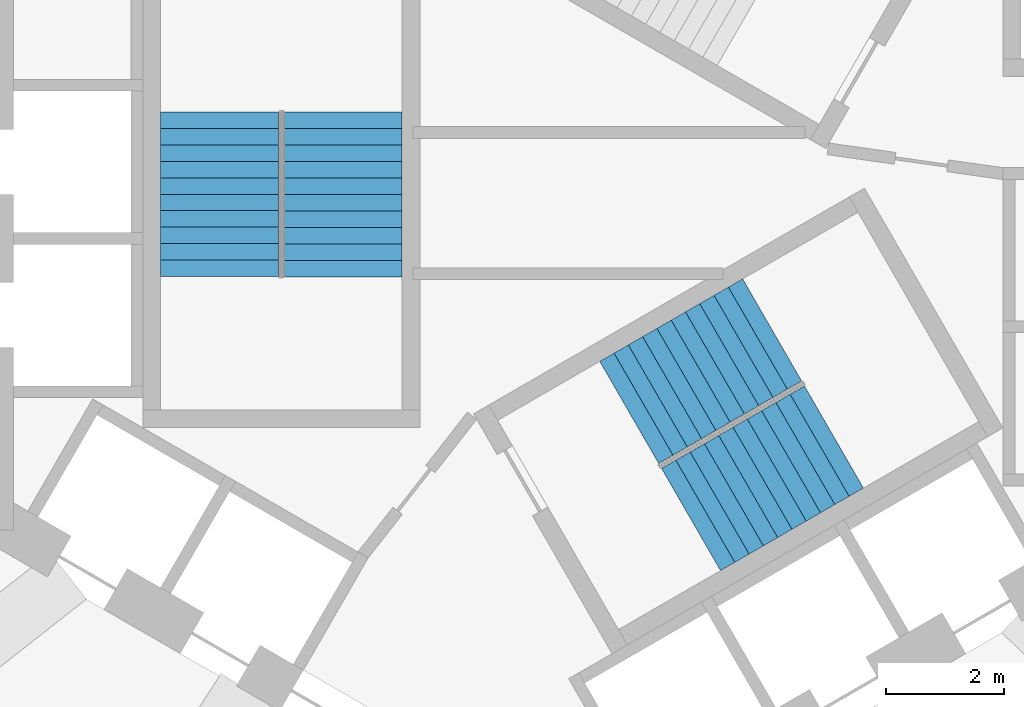
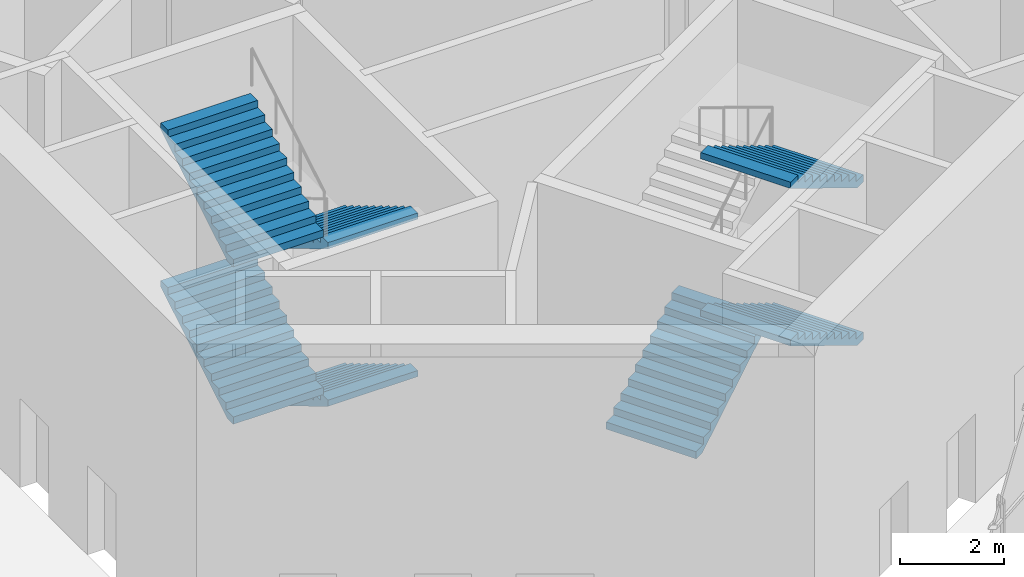
# One storey, part 12 of 17: 7 stair flights, 2 elements without a shape of their own.
"""IFC4 building model written with IfcOpenShell, lengths in metres."""

import ifcopenshell
import ifcopenshell.guid

model = None  # the IFC model being written
_history = None  # IfcOwnerHistory: only IFC2X3 demands one
_inside = {}  # id of a spatial element -> (the spatial element, [elements in it])
_under = {}  # id of a project, library or spatial element -> (it, [spatial elements below it])
_declared = {}  # id of a project -> (the project, [libraries it declares])
_typed = {}  # id of a type object -> (the type object, [elements of that type])
_made_of = {}  # id of a material, layer set ... -> (it, [elements and type objects made of it])


def new_model(schema):
    """Start an empty IFC model of exactly this schema.

    Asked for "IFC4X3", IfcOpenShell would pick the latest addendum, in which some entities
    have other attributes; the version numbers below select the first issue.
    IFC2X3 requires an IfcOwnerHistory on every rooted entity: one is made here for all.
    """
    global model, _history
    if schema == "IFC4X3":
        model = ifcopenshell.file(schema_version=(4, 3, 0, 0))
    else:
        model = ifcopenshell.file(schema=schema)
    _inside.clear()
    _under.clear()
    _declared.clear()
    _typed.clear()
    _made_of.clear()
    _history = None
    if model.schema == "IFC2X3":
        org = make("IfcOrganization", Name="unknown")
        user = make(
            "IfcPersonAndOrganization",
            ThePerson=make("IfcPerson", FamilyName="unknown"),
            TheOrganization=org,
        )
        app = make(
            "IfcApplication",
            ApplicationDeveloper=org,
            Version="unknown",
            ApplicationFullName="unknown",
            ApplicationIdentifier="unknown",
        )
        _history = make(
            "IfcOwnerHistory",
            OwningUser=user,
            OwningApplication=app,
            ChangeAction="ADDED",
            CreationDate=0,
        )
    return model


def make(cls, **values):
    """One entity of the class cls with the attributes given. An attribute that is None is left unset."""
    return model.create_entity(
        cls, **{name: value for name, value in values.items() if value is not None}
    )


def rooted(cls, **values):
    """An entity with a GlobalId (a new one), such as an element, a storey or a relation."""
    return make(cls, GlobalId=ifcopenshell.guid.new(), OwnerHistory=_history, **values)


def si_unit(unit_type, name, prefix=None):
    """IfcSIUnit, for example si_unit("LENGTHUNIT", "METRE", prefix="MILLI")."""
    return make("IfcSIUnit", UnitType=unit_type, Prefix=prefix, Name=name)


def assignment(units):
    """IfcUnitAssignment: the units of a project."""
    return None if units is None else make("IfcUnitAssignment", Units=units)


def point(xyz):
    """IfcCartesianPoint."""
    return None if xyz is None else make("IfcCartesianPoint", Coordinates=xyz)


def direction(xyz):
    """IfcDirection."""
    return None if xyz is None else make("IfcDirection", DirectionRatios=xyz)


def frame(location, z_axis=None, x_axis=None):
    """IfcAxis2Placement3D, a coordinate frame: its origin and axes. An axis left out is left unset."""
    return make(
        "IfcAxis2Placement3D",
        Location=point(location),
        Axis=direction(z_axis),
        RefDirection=direction(x_axis),
    )


def origin():
    """The frame at (0, 0, 0) with its axes left unset."""
    return frame((0.0, 0.0, 0.0))


def place(relative_to, where):
    """IfcLocalPlacement: puts the frame where relative to a parent placement (None: the world)."""
    return make(
        "IfcLocalPlacement", PlacementRelTo=relative_to, RelativePlacement=where
    )


def context(
    kind, dimensions, precision=None, world=None, true_north=None, identifier=None
):
    """IfcGeometricRepresentationContext, for example the 3D "Model" context."""
    return make(
        "IfcGeometricRepresentationContext",
        ContextIdentifier=identifier,
        ContextType=kind,
        CoordinateSpaceDimension=dimensions,
        Precision=precision,
        WorldCoordinateSystem=world,
        TrueNorth=true_north,
    )


def subcontext(parent, identifier, kind, view, scale=None):
    """IfcGeometricRepresentationSubContext, for example "Body" below "Model"."""
    return make(
        "IfcGeometricRepresentationSubContext",
        ContextIdentifier=identifier,
        ContextType=kind,
        ParentContext=parent,
        TargetScale=scale,
        TargetView=view,
    )


def project(units=None, contexts=None):
    """IfcProject with its units and contexts."""
    return rooted(
        "IfcProject",
        Name="project",
        RepresentationContexts=contexts,
        UnitsInContext=assignment(units),
    )


def spatial(cls, under=None, at=None, **own):
    """A site, building, storey or space (cls), placed at a placement, below another one or the project."""
    s = rooted(cls, ObjectPlacement=at, **own)
    if under is not None:
        _under.setdefault(under.id(), (under, []))[1].append(s)
    return s


def point_list(points):
    """IfcCartesianPointList2D or 3D."""
    cls = (
        "IfcCartesianPointList2D" if len(points[0]) == 2 else "IfcCartesianPointList3D"
    )
    return make(cls, CoordList=points)


def triangles(points, corners, closed=None, point_numbers=None):
    """IfcTriangulatedFaceSet: each triangle names its three corners, points numbered from 1."""
    return make(
        "IfcTriangulatedFaceSet",
        Coordinates=point_list(points),
        Closed=closed,
        CoordIndex=corners,
        PnIndex=point_numbers,
    )


def shape(context_of_items, identifier, shape_type, items):
    """IfcShapeRepresentation: the items that make up one representation, for example the "Body"."""
    return make(
        "IfcShapeRepresentation",
        ContextOfItems=context_of_items,
        RepresentationIdentifier=identifier,
        RepresentationType=shape_type,
        Items=items,
    )


def source(mapping_origin, context_of_items, identifier, shape_type, items):
    """IfcRepresentationMap: a shape defined once, which mapped items show again and again."""
    return make(
        "IfcRepresentationMap",
        MappingOrigin=mapping_origin,
        MappedRepresentation=shape(context_of_items, identifier, shape_type, items),
    )


def transform(
    local_origin,
    x_axis=None,
    y_axis=None,
    z_axis=None,
    scale=None,
    scale2=None,
    scale3=None,
    uniform=True,
):
    """IfcCartesianTransformationOperator3D, or its non-uniform kind. x_axis, y_axis, z_axis: its Axis1, 2, 3."""
    if uniform:
        return make(
            "IfcCartesianTransformationOperator3D",
            Axis1=direction(x_axis),
            Axis2=direction(y_axis),
            LocalOrigin=point(local_origin),
            Scale=scale,
            Axis3=direction(z_axis),
        )
    return make(
        "IfcCartesianTransformationOperator3DnonUniform",
        Axis1=direction(x_axis),
        Axis2=direction(y_axis),
        LocalOrigin=point(local_origin),
        Scale=scale,
        Axis3=direction(z_axis),
        Scale2=scale2,
        Scale3=scale3,
    )


def mapped(mapping_source, mapping_target):
    """IfcMappedItem: shows the shape of a source again, moved by a transform."""
    return make(
        "IfcMappedItem", MappingSource=mapping_source, MappingTarget=mapping_target
    )


def material(Name=None, Category=None):
    """IfcMaterial."""
    return make("IfcMaterial", Name=Name, Category=Category)


def made_of(thing, what):
    """Note that an element or type object is made of a material, layer set ...; save() writes the relation."""
    if what is not None:
        _made_of.setdefault(what.id(), (what, []))[1].append(thing)
    return thing


def type_object(cls, material=None, **own):
    """A type object (cls), such as IfcWallType, which elements share."""
    return made_of(rooted(cls, **own), material)


def element(
    cls,
    number,
    at=None,
    inside=None,
    cuts=None,
    type_object=None,
    material=None,
    context=None,
    identifier="Body",
    shape_type=None,
    held_by="IfcProductDefinitionShape",
    body=None,
    shapes=None,
    **own,
):
    """One element of the class cls, such as IfcWall. Its Tag is "e" and its number.

    at: its placement. inside: the storey or other place that contains it. cuts: it is an
    opening in that element (IfcRelVoidsElement). A single representation is given by context,
    identifier, shape_type and body (its items); several are given by shapes. held_by: the class
    of the entity that holds the representations. save() writes the other relations.
    """
    e = rooted(cls, Tag="e%d" % number, ObjectPlacement=at, **own)
    if body is not None:
        shapes = [shape(context, identifier, shape_type, body)]
    if shapes is not None:
        e.Representation = make(held_by, Representations=shapes)
    if inside is not None:
        _inside.setdefault(inside.id(), (inside, []))[1].append(e)
    if cuts is not None:
        rooted(
            "IfcRelVoidsElement", RelatingBuildingElement=cuts, RelatedOpeningElement=e
        )
    if type_object is not None:
        _typed.setdefault(type_object.id(), (type_object, []))[1].append(e)
    return made_of(e, material)


def aggregate(whole, parts):
    """IfcRelAggregates: a whole, such as a stair, and the parts it consists of."""
    return rooted("IfcRelAggregates", RelatingObject=whole, RelatedObjects=parts)


def save(model, path):
    """Write the relations noted so far, then the file.

    IfcRelAggregates (storeys below a building ...), IfcRelContainedInSpatialStructure (elements
    in a storey), IfcRelDefinesByType, IfcRelAssociatesMaterial and IfcRelDeclares: one each for
    every whole, place, type object, material and project.
    """
    for whole, parts in _under.values():
        aggregate(whole, parts)
    for where, things in _inside.values():
        rooted(
            "IfcRelContainedInSpatialStructure",
            RelatedElements=things,
            RelatingStructure=where,
        )
    for kind, things in _typed.values():
        rooted("IfcRelDefinesByType", RelatedObjects=things, RelatingType=kind)
    for what, things in _made_of.values():
        rooted("IfcRelAssociatesMaterial", RelatedObjects=things, RelatingMaterial=what)
    for by, libraries in _declared.values():
        rooted("IfcRelDeclares", RelatingContext=by, RelatedDefinitions=libraries)
    model.write(path)


model = new_model("IFC4")

# Units and contexts
model_context = context("Model", 3, precision=1e-05, world=origin(), true_north=direction((0.0, 1.0)))
body_context = subcontext(model_context, "Body", "Model", "MODEL_VIEW")
ifc_project = project(units=[si_unit("LENGTHUNIT", "METRE"), si_unit("AREAUNIT", "SQUARE_METRE"), si_unit("VOLUMEUNIT", "CUBIC_METRE"), si_unit("PLANEANGLEUNIT", "RADIAN"), si_unit("MASSUNIT", "GRAM", prefix="KILO")], contexts=[model_context])

# Site, building, storey
site_placement = place(None, origin())
site = spatial("IfcSite", under=ifc_project, at=site_placement, CompositionType="ELEMENT")
building_placement = place(site_placement, origin())
building = spatial("IfcBuilding", under=site, at=building_placement, Name="Vanh Sen Convention Tower", CompositionType="ELEMENT")
storey_placement = place(building_placement, frame((0.0, 0.0, 214.300048828125)))
storey = spatial("IfcBuildingStorey", under=building, at=storey_placement, Name="L53", CompositionType="ELEMENT", Elevation=214.300048828125)

# Stair, stair flights
ifc_material_1 = material(Name="Concrete C50/60", Category="concrete")
stair_type_1 = type_object("IfcStairType", Name="Exit stair ST2 44 risers at 168.2", PredefinedType="HALF_TURN_STAIR", material=ifc_material_1)
stair_1_placement = place(storey_placement, origin())
stair_1 = element("IfcStair", 1, at=stair_1_placement, inside=storey, type_object=stair_type_1, Name="Exit stair ST2 L53", PredefinedType="HALF_TURN_STAIR")
ifc_material_2 = material(Name="Concrete C40/50", Category="concrete")
stair_flight_type = type_object("IfcStairFlightType", Name="Stair flight 2000", PredefinedType="STRAIGHT", material=ifc_material_2)
shared_shape = source(origin(), body_context, "Body", "Tessellation", [
    triangles([(0.24267578125, 1.0, 0.0), (0.0, 1.0, 0.0), (0.0, 1.0, 0.168212890625), (0.280029296875, 1.0, 0.168212890625), (0.280029296875, 1.0, 0.33642578125), (0.56005859375, 1.0, 0.33642578125), (0.56005859375, 1.0, 0.504638671875), (0.840087890625, 1.0, 0.504638671875), (0.840087890625, 1.0, 0.672607421875), (1.1201171875, 1.0, 0.672607421875), (1.1201171875, 1.0, 0.8408203125), (1.39990234375, 1.0, 0.8408203125), (1.39990234375, 1.0, 1.009033203125), (1.679931640625, 1.0, 1.009033203125), (1.679931640625, 1.0, 1.17724609375), (1.9599609375, 1.0, 1.17724609375), (1.9599609375, 1.0, 1.345458984375), (2.239990234375, 1.0, 1.345458984375), (2.239990234375, 1.0, 1.513671875), (2.52001953125, 1.0, 1.513671875), (2.52001953125, 1.0, 1.681884765625), (2.800048828125, 1.0, 1.681884765625), (2.800048828125, 1.0, 1.535888671875), (0.24267578125, -1.0, 0.0), (0.0, -1.0, 0.0), (0.0, -1.0, 0.168212890625), (0.280029296875, -1.0, 0.168212890625), (0.280029296875, -1.0, 0.33642578125), (0.56005859375, -1.0, 0.33642578125), (0.56005859375, -1.0, 0.504638671875), (0.840087890625, -1.0, 0.504638671875), (0.840087890625, -1.0, 0.672607421875), (1.1201171875, -1.0, 0.672607421875), (1.1201171875, -1.0, 0.8408203125), (1.39990234375, -1.0, 0.8408203125), (1.39990234375, -1.0, 1.009033203125), (1.679931640625, -1.0, 1.009033203125), (1.679931640625, -1.0, 1.17724609375), (1.9599609375, -1.0, 1.17724609375), (1.9599609375, -1.0, 1.345458984375), (2.239990234375, -1.0, 1.345458984375), (2.239990234375, -1.0, 1.513671875), (2.52001953125, -1.0, 1.513671875), (2.52001953125, -1.0, 1.681884765625), (2.800048828125, -1.0, 1.681884765625), (2.800048828125, -1.0, 1.535888671875), (0.0, 0.0400390625, 0.0), (0.0, 0.0390625, 0.0), (0.0, 0.0380859375, 0.0), (0.0, 0.037109375, 0.0), (0.0, 0.035888671875, 0.0), (0.0, 0.034912109375, 0.0), (0.0, 0.033935546875, 0.0), (0.0, 0.032958984375, 0.0), (0.0, 0.031982421875, 0.0), (0.0, 0.031005859375, 0.0), (0.0, 0.030029296875, 0.0), (0.0, 0.029052734375, 0.0), (0.0, 0.028076171875, 0.0), (0.0, 0.027099609375, 0.0), (0.0, 0.02587890625, 0.0), (0.0, 0.02490234375, 0.0), (0.0, 0.02392578125, 0.0), (0.0, 0.02294921875, 0.0), (0.0, 0.02197265625, 0.0), (0.0, 0.02099609375, 0.0), (0.0, 0.02001953125, 0.0), (0.0, 0.01904296875, 0.0), (0.0, 0.01806640625, 0.0), (0.0, 0.01708984375, 0.0), (0.0, 0.01611328125, 0.0), (0.0, 0.014892578125, 0.0), (0.0, 0.013916015625, 0.0), (0.0, 0.012939453125, 0.0), (0.0, 0.011962890625, 0.0), (0.0, 0.010986328125, 0.0), (0.0, 0.010009765625, 0.0), (0.0, 0.009033203125, 0.0), (0.0, 0.008056640625, 0.0), (0.0, 0.007080078125, 0.0), (0.0, 0.006103515625, 0.0), (0.0, 0.0048828125, 0.0), (0.0, 0.00390625, 0.0), (0.0, 0.0029296875, 0.0), (0.0, 0.001953125, 0.0), (0.0, 0.0009765625, 0.0), (0.0, 0.0, 0.0), (0.0, -0.0009765625, 0.0), (0.0, -0.001953125, 0.0), (0.0, -0.0029296875, 0.0), (0.0, -0.00390625, 0.0), (0.0, -0.0048828125, 0.0), (0.0, -0.006103515625, 0.0), (0.0, -0.007080078125, 0.0), (0.0, -0.008056640625, 0.0), (0.0, -0.009033203125, 0.0), (0.0, -0.010009765625, 0.0), (0.0, -0.010986328125, 0.0), (0.0, -0.011962890625, 0.0), (0.0, -0.012939453125, 0.0), (0.0, -0.013916015625, 0.0), (0.0, -0.014892578125, 0.0), (0.0, -0.01611328125, 0.0), (0.0, -0.01708984375, 0.0), (0.0, -0.01806640625, 0.0), (0.0, -0.01904296875, 0.0), (0.0, -0.02001953125, 0.0), (0.0, -0.02099609375, 0.0), (0.0, -0.02197265625, 0.0), (0.0, -0.02294921875, 0.0), (0.0, -0.02392578125, 0.0), (0.0, -0.02490234375, 0.0), (0.0, -0.02587890625, 0.0), (0.0, -0.027099609375, 0.0), (0.0, -0.028076171875, 0.0), (0.0, -0.029052734375, 0.0), (0.0, -0.030029296875, 0.0), (0.0, -0.031005859375, 0.0), (0.0, -0.031982421875, 0.0), (0.0, -0.032958984375, 0.0), (0.0, -0.033935546875, 0.0), (0.0, -0.034912109375, 0.0), (0.0, -0.035888671875, 0.0), (0.0, -0.037109375, 0.0), (0.0, -0.0380859375, 0.0), (0.0, -0.0390625, 0.0), (0.0, -0.0400390625, 0.0), (0.0, 0.0400390625, 0.168212890625), (0.0, 0.0390625, 0.168212890625), (0.0, 0.0380859375, 0.168212890625), (0.0, 0.037109375, 0.168212890625), (0.0, 0.035888671875, 0.168212890625), (0.0, 0.034912109375, 0.168212890625), (0.0, 0.033935546875, 0.168212890625), (0.0, 0.032958984375, 0.168212890625), (0.0, 0.031982421875, 0.168212890625), (0.0, 0.031005859375, 0.168212890625), (0.0, 0.030029296875, 0.168212890625), (0.0, 0.029052734375, 0.168212890625), (0.0, 0.028076171875, 0.168212890625), (0.0, 0.027099609375, 0.168212890625), (0.0, 0.02587890625, 0.168212890625), (0.0, 0.02490234375, 0.168212890625), (0.0, 0.02392578125, 0.168212890625), (0.0, 0.02294921875, 0.168212890625), (0.0, 0.02197265625, 0.168212890625), (0.0, 0.02099609375, 0.168212890625), (0.0, 0.02001953125, 0.168212890625), (0.0, 0.01904296875, 0.168212890625), (0.0, 0.01806640625, 0.168212890625), (0.0, 0.01708984375, 0.168212890625), (0.0, 0.01611328125, 0.168212890625), (0.0, 0.014892578125, 0.168212890625), (0.0, 0.013916015625, 0.168212890625), (0.0, 0.012939453125, 0.168212890625), (0.0, 0.011962890625, 0.168212890625), (0.0, 0.010986328125, 0.168212890625), (0.0, 0.010009765625, 0.168212890625), (0.0, 0.009033203125, 0.168212890625), (0.0, 0.008056640625, 0.168212890625), (0.0, 0.007080078125, 0.168212890625), (0.0, 0.006103515625, 0.168212890625), (0.0, 0.0048828125, 0.168212890625), (0.0, 0.00390625, 0.168212890625), (0.0, 0.0029296875, 0.168212890625), (0.0, 0.001953125, 0.168212890625), (0.0, 0.0009765625, 0.168212890625), (0.0, 0.0, 0.168212890625), (0.0, -0.0009765625, 0.168212890625), (0.0, -0.001953125, 0.168212890625), (0.0, -0.0029296875, 0.168212890625), (0.0, -0.00390625, 0.168212890625), (0.0, -0.0048828125, 0.168212890625), (0.0, -0.006103515625, 0.168212890625), (0.0, -0.007080078125, 0.168212890625), (0.0, -0.008056640625, 0.168212890625), (0.0, -0.009033203125, 0.168212890625), (0.0, -0.010009765625, 0.168212890625), (0.0, -0.010986328125, 0.168212890625), (0.0, -0.011962890625, 0.168212890625), (0.0, -0.012939453125, 0.168212890625), (0.0, -0.013916015625, 0.168212890625), (0.0, -0.014892578125, 0.168212890625), (0.0, -0.01611328125, 0.168212890625), (0.0, -0.01708984375, 0.168212890625), (0.0, -0.01806640625, 0.168212890625), (0.0, -0.01904296875, 0.168212890625), (0.0, -0.02001953125, 0.168212890625), (0.0, -0.02099609375, 0.168212890625), (0.0, -0.02197265625, 0.168212890625), (0.0, -0.02294921875, 0.168212890625), (0.0, -0.02392578125, 0.168212890625), (0.0, -0.02490234375, 0.168212890625), (0.0, -0.02587890625, 0.168212890625), (0.0, -0.027099609375, 0.168212890625), (0.0, -0.028076171875, 0.168212890625), (0.0, -0.029052734375, 0.168212890625), (0.0, -0.030029296875, 0.168212890625), (0.0, -0.031005859375, 0.168212890625), (0.0, -0.031982421875, 0.168212890625), (0.0, -0.032958984375, 0.168212890625), (0.0, -0.033935546875, 0.168212890625), (0.0, -0.034912109375, 0.168212890625), (0.0, -0.035888671875, 0.168212890625), (0.0, -0.037109375, 0.168212890625), (0.0, -0.0380859375, 0.168212890625), (0.0, -0.0390625, 0.168212890625), (0.0, -0.0400390625, 0.168212890625), (0.280029296875, 0.0, 0.168212890625), (0.280029296875, 0.0, 0.33642578125), (0.56005859375, 0.0, 0.33642578125), (0.56005859375, 0.0, 0.504638671875), (0.840087890625, 0.0, 0.504638671875), (0.840087890625, 0.0, 0.672607421875), (1.1201171875, 0.0, 0.672607421875), (1.1201171875, 0.0, 0.8408203125), (1.39990234375, 0.0, 0.8408203125), (1.39990234375, 0.0, 1.009033203125), (1.679931640625, 0.0, 1.009033203125), (1.679931640625, 0.0, 1.17724609375), (1.9599609375, 0.0, 1.17724609375), (1.9599609375, 0.0, 1.345458984375), (2.239990234375, 0.0, 1.345458984375), (2.239990234375, 0.0, 1.513671875), (2.52001953125, 0.0, 1.513671875), (2.52001953125, 0.0, 1.681884765625), (2.800048828125, 0.0400390625, 1.681884765625), (2.800048828125, 0.0390625, 1.681884765625), (2.800048828125, 0.0380859375, 1.681884765625), (2.800048828125, 0.037109375, 1.681884765625), (2.800048828125, 0.035888671875, 1.681884765625), (2.800048828125, 0.034912109375, 1.681884765625), (2.800048828125, 0.033935546875, 1.681884765625), (2.800048828125, 0.032958984375, 1.681884765625), (2.800048828125, 0.031982421875, 1.681884765625), (2.800048828125, 0.031005859375, 1.681884765625), (2.800048828125, 0.030029296875, 1.681884765625), (2.800048828125, 0.029052734375, 1.681884765625), (2.800048828125, 0.028076171875, 1.681884765625), (2.800048828125, 0.027099609375, 1.681884765625), (2.800048828125, 0.02587890625, 1.681884765625), (2.800048828125, 0.02490234375, 1.681884765625), (2.800048828125, 0.02392578125, 1.681884765625), (2.800048828125, 0.02294921875, 1.681884765625), (2.800048828125, 0.02197265625, 1.681884765625), (2.800048828125, 0.02099609375, 1.681884765625), (2.800048828125, 0.02001953125, 1.681884765625), (2.800048828125, 0.01904296875, 1.681884765625), (2.800048828125, 0.01806640625, 1.681884765625), (2.800048828125, 0.01708984375, 1.681884765625), (2.800048828125, 0.01611328125, 1.681884765625), (2.800048828125, 0.014892578125, 1.681884765625), (2.800048828125, 0.013916015625, 1.681884765625), (2.800048828125, 0.012939453125, 1.681884765625), (2.800048828125, 0.011962890625, 1.681884765625), (2.800048828125, 0.010986328125, 1.681884765625), (2.800048828125, 0.010009765625, 1.681884765625), (2.800048828125, 0.009033203125, 1.681884765625), (2.800048828125, 0.008056640625, 1.681884765625), (2.800048828125, 0.007080078125, 1.681884765625), (2.800048828125, 0.006103515625, 1.681884765625), (2.800048828125, 0.0048828125, 1.681884765625), (2.800048828125, 0.00390625, 1.681884765625), (2.800048828125, 0.0029296875, 1.681884765625), (2.800048828125, 0.001953125, 1.681884765625), (2.800048828125, 0.0009765625, 1.681884765625), (2.800048828125, 0.0, 1.681884765625), (2.800048828125, -0.0009765625, 1.681884765625), (2.800048828125, -0.001953125, 1.681884765625), (2.800048828125, -0.0029296875, 1.681884765625), (2.800048828125, -0.00390625, 1.681884765625), (2.800048828125, -0.0048828125, 1.681884765625), (2.800048828125, -0.006103515625, 1.681884765625), (2.800048828125, -0.007080078125, 1.681884765625), (2.800048828125, -0.008056640625, 1.681884765625), (2.800048828125, -0.009033203125, 1.681884765625), (2.800048828125, -0.010009765625, 1.681884765625), (2.800048828125, -0.010986328125, 1.681884765625), (2.800048828125, -0.011962890625, 1.681884765625), (2.800048828125, -0.012939453125, 1.681884765625), (2.800048828125, -0.013916015625, 1.681884765625), (2.800048828125, -0.014892578125, 1.681884765625), (2.800048828125, -0.01611328125, 1.681884765625), (2.800048828125, -0.01708984375, 1.681884765625), (2.800048828125, -0.01806640625, 1.681884765625), (2.800048828125, -0.01904296875, 1.681884765625), (2.800048828125, -0.02001953125, 1.681884765625), (2.800048828125, -0.02099609375, 1.681884765625), (2.800048828125, -0.02197265625, 1.681884765625), (2.800048828125, -0.02294921875, 1.681884765625), (2.800048828125, -0.02392578125, 1.681884765625), (2.800048828125, -0.02490234375, 1.681884765625), (2.800048828125, -0.02587890625, 1.681884765625), (2.800048828125, -0.027099609375, 1.681884765625), (2.800048828125, -0.028076171875, 1.681884765625), (2.800048828125, -0.029052734375, 1.681884765625), (2.800048828125, -0.030029296875, 1.681884765625), (2.800048828125, -0.031005859375, 1.681884765625), (2.800048828125, -0.031982421875, 1.681884765625), (2.800048828125, -0.032958984375, 1.681884765625), (2.800048828125, -0.033935546875, 1.681884765625), (2.800048828125, -0.034912109375, 1.681884765625), (2.800048828125, -0.035888671875, 1.681884765625), (2.800048828125, -0.037109375, 1.681884765625), (2.800048828125, -0.0380859375, 1.681884765625), (2.800048828125, -0.0390625, 1.681884765625), (2.800048828125, -0.0400390625, 1.681884765625), (2.800048828125, 0.0400390625, 1.535888671875), (2.800048828125, 0.0390625, 1.535888671875), (2.800048828125, 0.0380859375, 1.535888671875), (2.800048828125, 0.037109375, 1.535888671875), (2.800048828125, 0.035888671875, 1.535888671875), (2.800048828125, 0.034912109375, 1.535888671875), (2.800048828125, 0.033935546875, 1.535888671875), (2.800048828125, 0.032958984375, 1.535888671875), (2.800048828125, 0.031982421875, 1.535888671875), (2.800048828125, 0.031005859375, 1.535888671875), (2.800048828125, 0.030029296875, 1.535888671875), (2.800048828125, 0.029052734375, 1.535888671875), (2.800048828125, 0.028076171875, 1.535888671875), (2.800048828125, 0.027099609375, 1.535888671875), (2.800048828125, 0.02587890625, 1.535888671875), (2.800048828125, 0.02490234375, 1.535888671875), (2.800048828125, 0.02392578125, 1.535888671875), (2.800048828125, 0.02294921875, 1.535888671875), (2.800048828125, 0.02197265625, 1.535888671875), (2.800048828125, 0.02099609375, 1.535888671875), (2.800048828125, 0.02001953125, 1.535888671875), (2.800048828125, 0.01904296875, 1.535888671875), (2.800048828125, 0.01806640625, 1.535888671875), (2.800048828125, 0.01708984375, 1.535888671875), (2.800048828125, 0.01611328125, 1.535888671875), (2.800048828125, 0.014892578125, 1.535888671875), (2.800048828125, 0.013916015625, 1.535888671875), (2.800048828125, 0.012939453125, 1.535888671875), (2.800048828125, 0.011962890625, 1.535888671875), (2.800048828125, 0.010986328125, 1.535888671875), (2.800048828125, 0.010009765625, 1.535888671875), (2.800048828125, 0.009033203125, 1.535888671875), (2.800048828125, 0.008056640625, 1.535888671875), (2.800048828125, 0.007080078125, 1.535888671875), (2.800048828125, 0.006103515625, 1.535888671875), (2.800048828125, 0.0048828125, 1.535888671875), (2.800048828125, 0.00390625, 1.535888671875), (2.800048828125, 0.0029296875, 1.535888671875), (2.800048828125, 0.001953125, 1.535888671875), (2.800048828125, 0.0009765625, 1.535888671875), (2.800048828125, 0.0, 1.535888671875), (2.800048828125, -0.0009765625, 1.535888671875), (2.800048828125, -0.001953125, 1.535888671875), (2.800048828125, -0.0029296875, 1.535888671875), (2.800048828125, -0.00390625, 1.535888671875), (2.800048828125, -0.0048828125, 1.535888671875), (2.800048828125, -0.006103515625, 1.535888671875), (2.800048828125, -0.007080078125, 1.535888671875), (2.800048828125, -0.008056640625, 1.535888671875), (2.800048828125, -0.009033203125, 1.535888671875), (2.800048828125, -0.010009765625, 1.535888671875), (2.800048828125, -0.010986328125, 1.535888671875), (2.800048828125, -0.011962890625, 1.535888671875), (2.800048828125, -0.012939453125, 1.535888671875), (2.800048828125, -0.013916015625, 1.535888671875), (2.800048828125, -0.014892578125, 1.535888671875), (2.800048828125, -0.01611328125, 1.535888671875), (2.800048828125, -0.01708984375, 1.535888671875), (2.800048828125, -0.01806640625, 1.535888671875), (2.800048828125, -0.01904296875, 1.535888671875), (2.800048828125, -0.02001953125, 1.535888671875), (2.800048828125, -0.02099609375, 1.535888671875), (2.800048828125, -0.02197265625, 1.535888671875), (2.800048828125, -0.02294921875, 1.535888671875), (2.800048828125, -0.02392578125, 1.535888671875), (2.800048828125, -0.02490234375, 1.535888671875), (2.800048828125, -0.02587890625, 1.535888671875), (2.800048828125, -0.027099609375, 1.535888671875), (2.800048828125, -0.028076171875, 1.535888671875), (2.800048828125, -0.029052734375, 1.535888671875), (2.800048828125, -0.030029296875, 1.535888671875), (2.800048828125, -0.031005859375, 1.535888671875), (2.800048828125, -0.031982421875, 1.535888671875), (2.800048828125, -0.032958984375, 1.535888671875), (2.800048828125, -0.033935546875, 1.535888671875), (2.800048828125, -0.034912109375, 1.535888671875), (2.800048828125, -0.035888671875, 1.535888671875), (2.800048828125, -0.037109375, 1.535888671875), (2.800048828125, -0.0380859375, 1.535888671875), (2.800048828125, -0.0390625, 1.535888671875), (2.800048828125, -0.0400390625, 1.535888671875), (0.24267578125, 0.0, 0.0)], [[1, 2, 3], [1, 3, 4], [4, 5, 6], [1, 4, 6], [6, 7, 8], [1, 6, 8], [8, 9, 10], [1, 8, 10], [10, 11, 12], [1, 10, 12], [12, 13, 14], [1, 12, 14], [14, 15, 16], [1, 14, 16], [16, 17, 18], [1, 16, 18], [18, 19, 20], [1, 18, 20], [20, 21, 22], [1, 20, 22], [22, 23, 1], [24, 26, 25], [24, 27, 26], [27, 29, 28], [24, 29, 27], [29, 31, 30], [24, 31, 29], [31, 33, 32], [24, 33, 31], [33, 35, 34], [24, 35, 33], [35, 37, 36], [24, 37, 35], [37, 39, 38], [24, 39, 37], [39, 41, 40], [24, 41, 39], [41, 43, 42], [24, 43, 41], [43, 45, 44], [24, 45, 43], [45, 24, 46], [2, 128, 3], [2, 47, 128], [47, 129, 128], [47, 48, 129], [48, 130, 129], [48, 49, 130], [49, 131, 130], [49, 50, 131], [50, 132, 131], [50, 51, 132], [51, 133, 132], [51, 52, 133], [52, 134, 133], [52, 53, 134], [53, 135, 134], [53, 54, 135], [54, 136, 135], [54, 55, 136], [55, 137, 136], [55, 56, 137], [56, 138, 137], [56, 57, 138], [57, 139, 138], [57, 58, 139], [58, 140, 139], [58, 59, 140], [59, 141, 140], [59, 60, 141], [60, 142, 141], [60, 61, 142], [61, 143, 142], [61, 62, 143], [62, 144, 143], [62, 63, 144], [63, 145, 144], [63, 64, 145], [64, 146, 145], [64, 65, 146], [65, 147, 146], [65, 66, 147], [66, 148, 147], [66, 67, 148], [67, 149, 148], [67, 68, 149], [68, 150, 149], [68, 69, 150], [69, 151, 150], [69, 70, 151], [70, 152, 151], [70, 71, 152], [71, 153, 152], [71, 72, 153], [72, 154, 153], [72, 73, 154], [73, 155, 154], [73, 74, 155], [74, 156, 155], [74, 75, 156], [75, 157, 156], [75, 76, 157], [76, 158, 157], [76, 77, 158], [77, 159, 158], [77, 78, 159], [78, 160, 159], [78, 79, 160], [79, 161, 160], [79, 80, 161], [80, 162, 161], [80, 81, 162], [81, 163, 162], [81, 82, 163], [82, 164, 163], [82, 83, 164], [83, 165, 164], [83, 84, 165], [84, 166, 165], [84, 85, 166], [85, 167, 166], [85, 86, 167], [86, 168, 167], [86, 87, 168], [87, 88, 168], [168, 88, 169], [88, 89, 169], [169, 89, 170], [89, 90, 170], [170, 90, 171], [90, 91, 171], [171, 91, 172], [91, 92, 172], [172, 92, 173], [92, 93, 173], [173, 93, 174], [93, 94, 174], [174, 94, 175], [94, 95, 175], [175, 95, 176], [95, 96, 176], [176, 96, 177], [96, 97, 177], [177, 97, 178], [97, 98, 178], [178, 98, 179], [98, 99, 179], [179, 99, 180], [99, 100, 180], [180, 100, 181], [100, 101, 181], [181, 101, 182], [101, 102, 182], [182, 102, 183], [102, 103, 183], [183, 103, 184], [103, 104, 184], [184, 104, 185], [104, 105, 185], [185, 105, 186], [105, 106, 186], [186, 106, 187], [106, 107, 187], [187, 107, 188], [107, 108, 188], [188, 108, 189], [108, 109, 189], [189, 109, 190], [109, 110, 190], [190, 110, 191], [110, 111, 191], [191, 111, 192], [111, 112, 192], [192, 112, 193], [112, 113, 193], [193, 113, 194], [113, 114, 194], [194, 114, 195], [114, 115, 195], [195, 115, 196], [115, 116, 196], [196, 116, 197], [116, 117, 197], [197, 117, 198], [117, 118, 198], [198, 118, 199], [118, 119, 199], [199, 119, 200], [119, 120, 200], [200, 120, 201], [120, 121, 201], [201, 121, 202], [121, 122, 202], [202, 122, 203], [122, 123, 203], [203, 123, 204], [123, 124, 204], [204, 124, 205], [124, 125, 205], [205, 125, 206], [125, 126, 206], [206, 126, 207], [126, 127, 207], [207, 127, 208], [127, 25, 208], [208, 25, 26], [4, 3, 128], [4, 128, 129], [4, 129, 130], [4, 130, 131], [4, 131, 132], [4, 132, 133], [4, 133, 134], [4, 134, 135], [4, 135, 136], [4, 136, 137], [4, 137, 138], [4, 138, 139], [4, 139, 140], [4, 140, 141], [4, 141, 142], [4, 142, 143], [4, 143, 144], [4, 144, 145], [4, 145, 146], [4, 146, 147], [4, 147, 148], [4, 148, 149], [4, 149, 150], [4, 150, 151], [4, 151, 152], [4, 152, 153], [4, 153, 154], [4, 154, 155], [4, 155, 156], [4, 156, 157], [4, 157, 158], [4, 158, 159], [4, 159, 160], [4, 160, 161], [4, 161, 162], [4, 162, 163], [4, 163, 164], [4, 164, 165], [4, 165, 166], [4, 166, 167], [4, 167, 168], [27, 168, 169], [27, 169, 170], [27, 170, 171], [27, 171, 172], [27, 172, 173], [27, 173, 174], [27, 174, 175], [27, 175, 176], [27, 176, 177], [27, 177, 178], [27, 178, 179], [27, 179, 180], [27, 180, 181], [27, 181, 182], [27, 182, 183], [27, 183, 184], [27, 184, 185], [27, 185, 186], [27, 186, 187], [27, 187, 188], [27, 188, 189], [27, 189, 190], [27, 190, 191], [27, 191, 192], [27, 192, 193], [27, 193, 194], [27, 194, 195], [27, 195, 196], [27, 196, 197], [27, 197, 198], [27, 198, 199], [27, 199, 200], [27, 200, 201], [27, 201, 202], [27, 202, 203], [27, 203, 204], [27, 204, 205], [27, 205, 206], [27, 206, 207], [27, 207, 208], [27, 208, 26], [4, 168, 209], [27, 209, 168], [4, 210, 5], [4, 209, 210], [209, 27, 210], [210, 27, 28], [5, 211, 6], [5, 210, 211], [210, 28, 211], [211, 28, 29], [6, 212, 7], [6, 211, 212], [211, 29, 212], [212, 29, 30], [7, 213, 8], [7, 212, 213], [212, 30, 213], [213, 30, 31], [8, 214, 9], [8, 213, 214], [213, 31, 214], [214, 31, 32], [9, 215, 10], [9, 214, 215], [214, 32, 215], [215, 32, 33], [10, 216, 11], [10, 215, 216], [215, 33, 216], [216, 33, 34], [11, 217, 12], [11, 216, 217], [216, 34, 217], [217, 34, 35], [12, 218, 13], [12, 217, 218], [217, 35, 218], [218, 35, 36], [13, 219, 14], [13, 218, 219], [218, 36, 219], [219, 36, 37], [14, 220, 15], [14, 219, 220], [219, 37, 220], [220, 37, 38], [15, 221, 16], [15, 220, 221], [220, 38, 221], [221, 38, 39], [16, 222, 17], [16, 221, 222], [221, 39, 222], [222, 39, 40], [17, 223, 18], [17, 222, 223], [222, 40, 223], [223, 40, 41], [18, 224, 19], [18, 223, 224], [223, 41, 224], [224, 41, 42], [19, 225, 20], [19, 224, 225], [224, 42, 225], [225, 42, 43], [20, 226, 21], [20, 225, 226], [225, 43, 226], [226, 43, 44], [21, 227, 22], [21, 228, 227], [21, 229, 228], [21, 230, 229], [21, 231, 230], [21, 232, 231], [21, 233, 232], [21, 234, 233], [21, 235, 234], [21, 236, 235], [21, 237, 236], [21, 238, 237], [21, 239, 238], [21, 240, 239], [21, 241, 240], [21, 242, 241], [21, 243, 242], [21, 244, 243], [21, 245, 244], [21, 246, 245], [21, 247, 246], [21, 248, 247], [21, 249, 248], [21, 250, 249], [21, 251, 250], [21, 252, 251], [21, 253, 252], [21, 254, 253], [21, 255, 254], [21, 256, 255], [21, 257, 256], [21, 258, 257], [21, 259, 258], [21, 260, 259], [21, 261, 260], [21, 262, 261], [21, 263, 262], [21, 264, 263], [21, 265, 264], [21, 266, 265], [21, 267, 266], [44, 268, 267], [44, 269, 268], [44, 270, 269], [44, 271, 270], [44, 272, 271], [44, 273, 272], [44, 274, 273], [44, 275, 274], [44, 276, 275], [44, 277, 276], [44, 278, 277], [44, 279, 278], [44, 280, 279], [44, 281, 280], [44, 282, 281], [44, 283, 282], [44, 284, 283], [44, 285, 284], [44, 286, 285], [44, 287, 286], [44, 288, 287], [44, 289, 288], [44, 290, 289], [44, 291, 290], [44, 292, 291], [44, 293, 292], [44, 294, 293], [44, 295, 294], [44, 296, 295], [44, 297, 296], [44, 298, 297], [44, 299, 298], [44, 300, 299], [44, 301, 300], [44, 302, 301], [44, 303, 302], [44, 304, 303], [44, 305, 304], [44, 306, 305], [44, 307, 306], [44, 45, 307], [21, 226, 267], [44, 267, 226], [22, 308, 23], [22, 227, 308], [227, 309, 308], [227, 228, 309], [228, 310, 309], [228, 229, 310], [229, 311, 310], [229, 230, 311], [230, 312, 311], [230, 231, 312], [231, 313, 312], [231, 232, 313], [232, 314, 313], [232, 233, 314], [233, 315, 314], [233, 234, 315], [234, 316, 315], [234, 235, 316], [235, 317, 316], [235, 236, 317], [236, 318, 317], [236, 237, 318], [237, 319, 318], [237, 238, 319], [238, 320, 319], [238, 239, 320], [239, 321, 320], [239, 240, 321], [240, 322, 321], [240, 241, 322], [241, 323, 322], [241, 242, 323], [242, 324, 323], [242, 243, 324], [243, 325, 324], [243, 244, 325], [244, 326, 325], [244, 245, 326], [245, 327, 326], [245, 246, 327], [246, 328, 327], [246, 247, 328], [247, 329, 328], [247, 248, 329], [248, 330, 329], [248, 249, 330], [249, 331, 330], [249, 250, 331], [250, 332, 331], [250, 251, 332], [251, 333, 332], [251, 252, 333], [252, 334, 333], [252, 253, 334], [253, 335, 334], [253, 254, 335], [254, 336, 335], [254, 255, 336], [255, 337, 336], [255, 256, 337], [256, 338, 337], [256, 257, 338], [257, 339, 338], [257, 258, 339], [258, 340, 339], [258, 259, 340], [259, 341, 340], [259, 260, 341], [260, 342, 341], [260, 261, 342], [261, 343, 342], [261, 262, 343], [262, 344, 343], [262, 263, 344], [263, 345, 344], [263, 264, 345], [264, 346, 345], [264, 265, 346], [265, 347, 346], [265, 266, 347], [266, 348, 347], [266, 267, 348], [267, 268, 348], [348, 268, 349], [268, 269, 349], [349, 269, 350], [269, 270, 350], [350, 270, 351], [270, 271, 351], [351, 271, 352], [271, 272, 352], [352, 272, 353], [272, 273, 353], [353, 273, 354], [273, 274, 354], [354, 274, 355], [274, 275, 355], [355, 275, 356], [275, 276, 356], [356, 276, 357], [276, 277, 357], [357, 277, 358], [277, 278, 358], [358, 278, 359], [278, 279, 359], [359, 279, 360], [279, 280, 360], [360, 280, 361], [280, 281, 361], [361, 281, 362], [281, 282, 362], [362, 282, 363], [282, 283, 363], [363, 283, 364], [283, 284, 364], [364, 284, 365], [284, 285, 365], [365, 285, 366], [285, 286, 366], [366, 286, 367], [286, 287, 367], [367, 287, 368], [287, 288, 368], [368, 288, 369], [288, 289, 369], [369, 289, 370], [289, 290, 370], [370, 290, 371], [290, 291, 371], [371, 291, 372], [291, 292, 372], [372, 292, 373], [292, 293, 373], [373, 293, 374], [293, 294, 374], [374, 294, 375], [294, 295, 375], [375, 295, 376], [295, 296, 376], [376, 296, 377], [296, 297, 377], [377, 297, 378], [297, 298, 378], [378, 298, 379], [298, 299, 379], [379, 299, 380], [299, 300, 380], [380, 300, 381], [300, 301, 381], [381, 301, 382], [301, 302, 382], [382, 302, 383], [302, 303, 383], [383, 303, 384], [303, 304, 384], [384, 304, 385], [304, 305, 385], [385, 305, 386], [305, 306, 386], [386, 306, 387], [306, 307, 387], [387, 307, 388], [307, 45, 388], [388, 45, 46], [1, 23, 308], [1, 308, 309], [1, 309, 310], [1, 310, 311], [1, 311, 312], [1, 312, 313], [1, 313, 314], [1, 314, 315], [1, 315, 316], [1, 316, 317], [1, 317, 318], [1, 318, 319], [1, 319, 320], [1, 320, 321], [1, 321, 322], [1, 322, 323], [1, 323, 324], [1, 324, 325], [1, 325, 326], [1, 326, 327], [1, 327, 328], [1, 328, 329], [1, 329, 330], [1, 330, 331], [1, 331, 332], [1, 332, 333], [1, 333, 334], [1, 334, 335], [1, 335, 336], [1, 336, 337], [1, 337, 338], [1, 338, 339], [1, 339, 340], [1, 340, 341], [1, 341, 342], [1, 342, 343], [1, 343, 344], [1, 344, 345], [1, 345, 346], [1, 346, 347], [1, 347, 348], [24, 348, 349], [24, 349, 350], [24, 350, 351], [24, 351, 352], [24, 352, 353], [24, 353, 354], [24, 354, 355], [24, 355, 356], [24, 356, 357], [24, 357, 358], [24, 358, 359], [24, 359, 360], [24, 360, 361], [24, 361, 362], [24, 362, 363], [24, 363, 364], [24, 364, 365], [24, 365, 366], [24, 366, 367], [24, 367, 368], [24, 368, 369], [24, 369, 370], [24, 370, 371], [24, 371, 372], [24, 372, 373], [24, 373, 374], [24, 374, 375], [24, 375, 376], [24, 376, 377], [24, 377, 378], [24, 378, 379], [24, 379, 380], [24, 380, 381], [24, 381, 382], [24, 382, 383], [24, 383, 384], [24, 384, 385], [24, 385, 386], [24, 386, 387], [24, 387, 388], [24, 388, 46], [1, 348, 389], [24, 389, 348], [1, 47, 2], [1, 48, 47], [1, 49, 48], [1, 50, 49], [1, 51, 50], [1, 52, 51], [1, 53, 52], [1, 54, 53], [1, 55, 54], [1, 56, 55], [1, 57, 56], [1, 58, 57], [1, 59, 58], [1, 60, 59], [1, 61, 60], [1, 62, 61], [1, 63, 62], [1, 64, 63], [1, 65, 64], [1, 66, 65], [1, 67, 66], [1, 68, 67], [1, 69, 68], [1, 70, 69], [1, 71, 70], [1, 72, 71], [1, 73, 72], [1, 74, 73], [1, 75, 74], [1, 76, 75], [1, 77, 76], [1, 78, 77], [1, 79, 78], [1, 80, 79], [1, 81, 80], [1, 82, 81], [1, 83, 82], [1, 84, 83], [1, 85, 84], [1, 86, 85], [1, 87, 86], [24, 88, 87], [24, 89, 88], [24, 90, 89], [24, 91, 90], [24, 92, 91], [24, 93, 92], [24, 94, 93], [24, 95, 94], [24, 96, 95], [24, 97, 96], [24, 98, 97], [24, 99, 98], [24, 100, 99], [24, 101, 100], [24, 102, 101], [24, 103, 102], [24, 104, 103], [24, 105, 104], [24, 106, 105], [24, 107, 106], [24, 108, 107], [24, 109, 108], [24, 110, 109], [24, 111, 110], [24, 112, 111], [24, 113, 112], [24, 114, 113], [24, 115, 114], [24, 116, 115], [24, 117, 116], [24, 118, 117], [24, 119, 118], [24, 120, 119], [24, 121, 120], [24, 122, 121], [24, 123, 122], [24, 124, 123], [24, 125, 124], [24, 126, 125], [24, 127, 126], [24, 25, 127], [1, 389, 87], [24, 87, 389]], closed=True),
])
stair_flight_1_placement = place(storey_placement, frame((-3.89990234375, 1.14990234375, 0.0), z_axis=(0.0, 0.0, 1.0), x_axis=(0.0, -1.0, 0.0)))
stair_flight_1 = element("IfcStairFlight", 2, at=stair_flight_1_placement, type_object=stair_flight_type, Name="ST2 flight 1", NumberOfRisers=11, NumberOfTreads=10, PredefinedType="STRAIGHT", RiserHeight=0.168181818, TreadLength=0.28, context=body_context, shape_type="MappedRepresentation", body=[
    mapped(shared_shape, transform((0.0, 0.0, 0.0))),
])
stair_flight_2_placement = place(storey_placement, frame((-6.0, -1.64990234375, 1.849853515625), z_axis=(0.0, 0.0, 1.0), x_axis=(0.0, 1.0, 0.0)))
stair_flight_2 = element("IfcStairFlight", 3, at=stair_flight_2_placement, type_object=stair_flight_type, Name="ST2 flight 2", NumberOfRisers=11, NumberOfTreads=10, PredefinedType="STRAIGHT", RiserHeight=0.168181818, TreadLength=0.28, context=body_context, shape_type="MappedRepresentation", body=[
    mapped(shared_shape, transform((0.0, 0.0, 0.0))),
])
stair_flight_3_placement = place(storey_placement, frame((-3.89990234375, 1.14990234375, 3.699951171875), z_axis=(0.0, 0.0, 1.0), x_axis=(0.0, -1.0, 0.0)))
stair_flight_3 = element("IfcStairFlight", 4, at=stair_flight_3_placement, type_object=stair_flight_type, Name="ST2 flight 3", NumberOfRisers=11, NumberOfTreads=10, PredefinedType="STRAIGHT", RiserHeight=0.168181818, TreadLength=0.28, context=body_context, shape_type="MappedRepresentation", body=[
    mapped(shared_shape, transform((0.0, 0.0, 0.0))),
])
stair_flight_4_placement = place(storey_placement, frame((-6.0, -1.64990234375, 5.550048828125), z_axis=(0.0, 0.0, 1.0), x_axis=(0.0, 1.0, 0.0)))
stair_flight_4 = element("IfcStairFlight", 5, at=stair_flight_4_placement, type_object=stair_flight_type, Name="ST2 flight 4", NumberOfRisers=11, NumberOfTreads=10, PredefinedType="STRAIGHT", RiserHeight=0.168181818, TreadLength=0.28, context=body_context, shape_type="MappedRepresentation", body=[
    mapped(shared_shape, transform((0.0, 0.0, 0.0))),
])
aggregate(stair_1, [stair_flight_1, stair_flight_2, stair_flight_3, stair_flight_4])

stair_type_2 = type_object("IfcStairType", Name="Exit stair ST3 44 risers at 168.2", PredefinedType="HALF_TURN_STAIR", material=ifc_material_1)
stair_2_placement = place(storey_placement, origin())
stair_2 = element("IfcStair", 6, at=stair_2_placement, inside=storey, type_object=stair_type_2, Name="Exit stair ST3 L53", PredefinedType="HALF_TURN_STAIR")
stair_flight_5_placement = place(storey_placement, frame((0.9541015625, -3.952392578125, 0.0), z_axis=(0.0, 0.0, 1.0), x_axis=(0.866025403784, 0.5, 0.0)))
stair_flight_5 = element("IfcStairFlight", 7, at=stair_flight_5_placement, type_object=stair_flight_type, Name="ST3 flight 1", NumberOfRisers=11, NumberOfTreads=10, PredefinedType="STRAIGHT", RiserHeight=0.168181818, TreadLength=0.28, context=body_context, shape_type="MappedRepresentation", body=[
    mapped(shared_shape, transform((0.0, 0.0, 0.0))),
])
stair_flight_6_placement = place(storey_placement, frame((4.428955078125, -4.37109375, 1.849853515625), z_axis=(0.0, 0.0, 1.0), x_axis=(-0.866025403784, -0.5, 0.0)))
stair_flight_6 = element("IfcStairFlight", 8, at=stair_flight_6_placement, type_object=stair_flight_type, Name="ST3 flight 2", NumberOfRisers=11, NumberOfTreads=10, PredefinedType="STRAIGHT", RiserHeight=0.168181818, TreadLength=0.28, context=body_context, shape_type="MappedRepresentation", body=[
    mapped(shared_shape, transform((0.0, 0.0, 0.0))),
])
stair_flight_7_placement = place(storey_placement, frame((4.428955078125, -4.37109375, 5.550048828125), z_axis=(0.0, 0.0, 1.0), x_axis=(-0.866025403784, -0.5, 0.0)))
stair_flight_7 = element("IfcStairFlight", 9, at=stair_flight_7_placement, type_object=stair_flight_type, Name="ST3 flight 4", NumberOfRisers=11, NumberOfTreads=10, PredefinedType="STRAIGHT", RiserHeight=0.168181818, TreadLength=0.28, context=body_context, shape_type="MappedRepresentation", body=[
    mapped(shared_shape, transform((0.0, 0.0, 0.0))),
])
aggregate(stair_2, [stair_flight_5, stair_flight_6, stair_flight_7])

save(model, "model.ifc")
